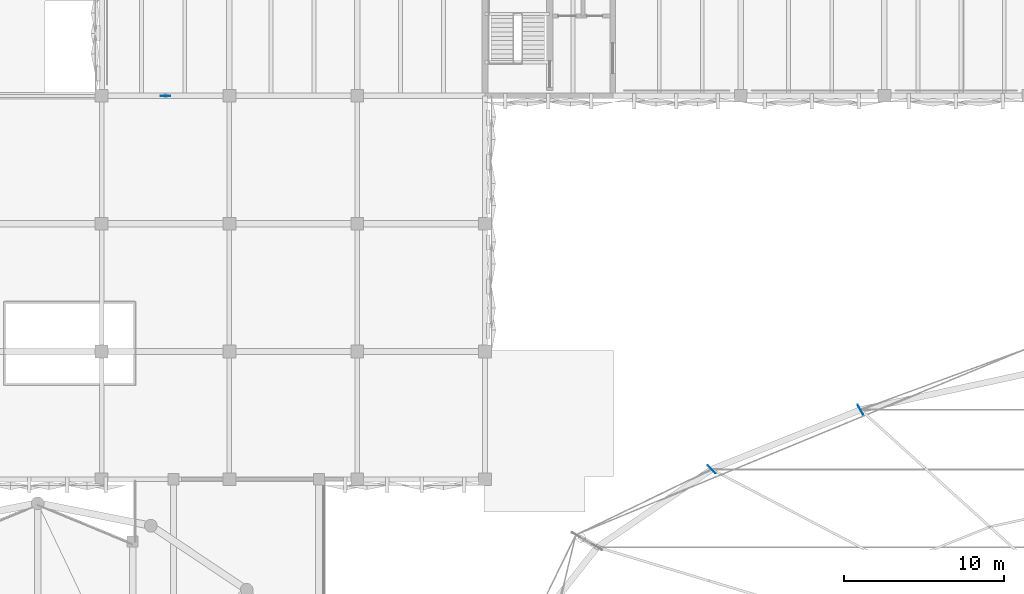
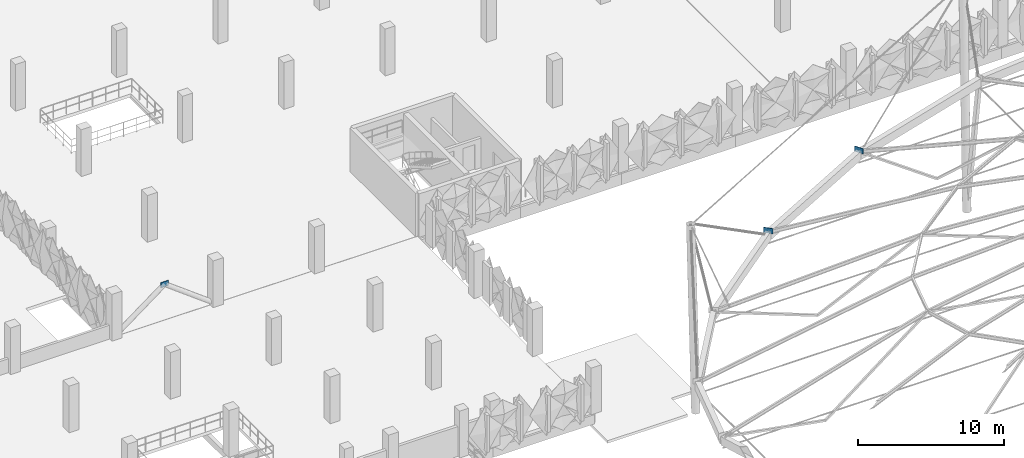
# One storey, part 43 of 96: 3 plates.
"""IFC4 building model written with IfcOpenShell, lengths in metres."""

from ifc_helpers import new_model, si_unit, derived_unit, direction, frame, origin, origin_2d, place, context, subcontext, project, spatial, rectangle, extrude, material, layer, layer_set, type_object, element, save


model = new_model("IFC4")

# Units and contexts
model_context = context("Model", 3, precision=1e-05, world=origin(), true_north=direction((0.0, 1.0)))
body_context = subcontext(model_context, "Body", "Model", "MODEL_VIEW")
ifc_project = project(units=[si_unit("LENGTHUNIT", "METRE"), si_unit("AREAUNIT", "SQUARE_METRE"), si_unit("VOLUMEUNIT", "CUBIC_METRE"), si_unit("PLANEANGLEUNIT", "RADIAN"), si_unit("MASSUNIT", "GRAM", prefix="KILO"), si_unit("THERMODYNAMICTEMPERATUREUNIT", "KELVIN"), derived_unit("THERMALTRANSMITTANCEUNIT", [(si_unit("POWERUNIT", "WATT"), 1), (si_unit("AREAUNIT", "SQUARE_METRE"), -1), (si_unit("THERMODYNAMICTEMPERATUREUNIT", "KELVIN"), -1)])], contexts=[model_context])

# Site, building, storey
site_placement = place(None, origin())
site = spatial("IfcSite", under=ifc_project, at=site_placement, CompositionType="ELEMENT")
building_placement = place(site_placement, origin())
building = spatial("IfcBuilding", under=site, at=building_placement, Name="Haiyu Intermodal Mobility Hub", CompositionType="ELEMENT")
storey_placement = place(building_placement, frame((0.0, 0.0, 9.5)))
storey = spatial("IfcBuildingStorey", under=building, at=storey_placement, Name="L02", CompositionType="ELEMENT", Elevation=9.5)

# Plates
ifc_material = material(Name="Steel Q355C", Category="steel")
ifc_layer_1 = layer(ifc_material, 0.035888671875)
ifc_layer_set_1 = layer_set([ifc_layer_1], Name="Steel Q355C")
plate_type_1 = type_object("IfcPlateType", Name="PLT-GP01", PredefinedType="USERDEFINED", material=ifc_layer_set_1)
for number, where, z_axis, x_axis, name in (
    (1, (85.5, 84.35205078125, 10.659912109375), (0.0, 0.0, 1.0), (-0.5, 0.866025403784, 0.0), "Ring Cable Clamp Gusset Plate GP-R09"),
    (2, (76.179931640625, 80.616943359375, 9.4599609375), (0.0, 0.0, 1.0), (-0.707106781187, 0.707106781187, 0.0), "Ring Cable Clamp Gusset Plate GP-R10"),
):
    element("IfcPlate", number, at=place(storey_placement, frame(where, z_axis=z_axis, x_axis=x_axis)), inside=storey, type_object=plate_type_1, Name=name, ObjectType="GUSSET PLATE", PredefinedType="USERDEFINED", context=body_context, shape_type="SweptSolid", body=[
        extrude(rectangle(XDim=0.679931640625, YDim=0.035888671875, at=origin_2d()), origin(), (0.0, 0.0, 1.0), 0.43994140625),
    ])
ifc_layer_2 = layer(ifc_material, 0.033935546875)
ifc_layer_set_2 = layer_set([ifc_layer_2], Name="Steel Q355C")
plate_type_2 = type_object("IfcPlateType", Name="PLT-GP04", PredefinedType="USERDEFINED", material=ifc_layer_set_2)
plate_placement = place(storey_placement, frame((42.0, 104.0, 2.7900390625), z_axis=(0.0, 0.0, 1.0), x_axis=(1.0, 0.0, 0.0)))
element("IfcPlate", 3, at=plate_placement, inside=storey, type_object=plate_type_2, Name="Chevron Brace Apex Gusset GP-B097", ObjectType="GUSSET PLATE", PredefinedType="USERDEFINED", context=body_context, shape_type="SweptSolid", body=[
    extrude(rectangle(XDim=0.6201171875, YDim=0.033935546875, at=origin_2d()), origin(), (0.0, 0.0, 1.0), 0.419921875),
])

save(model, "model.ifc")
